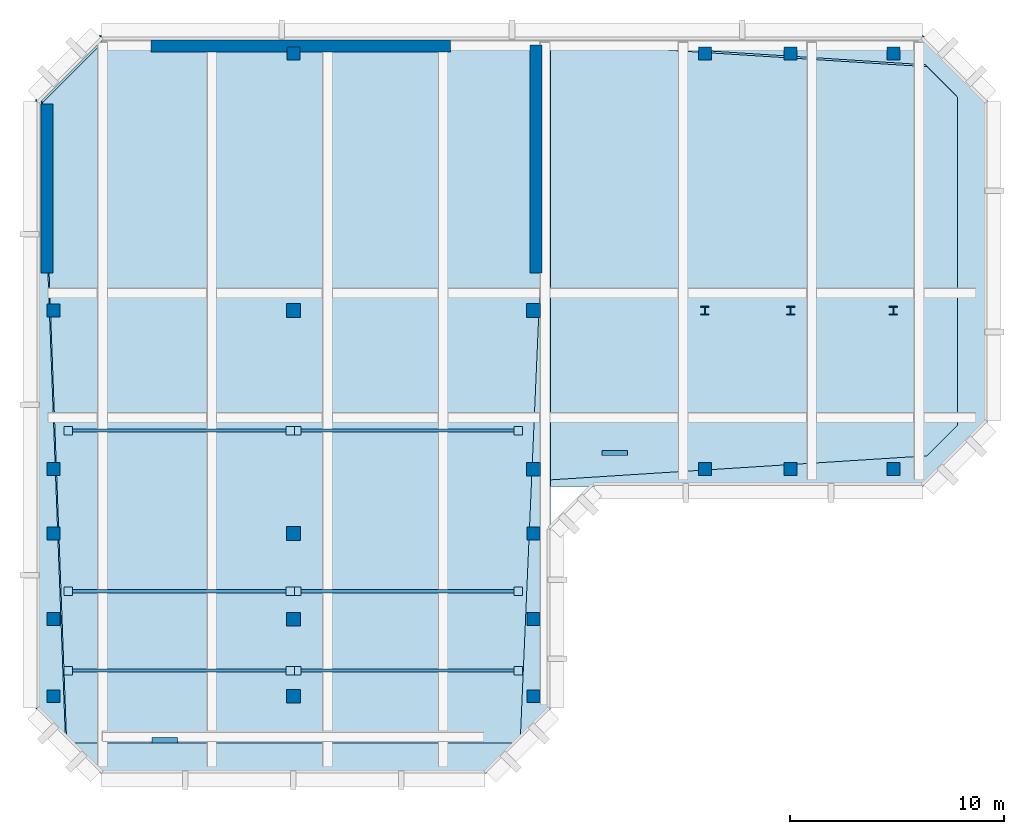
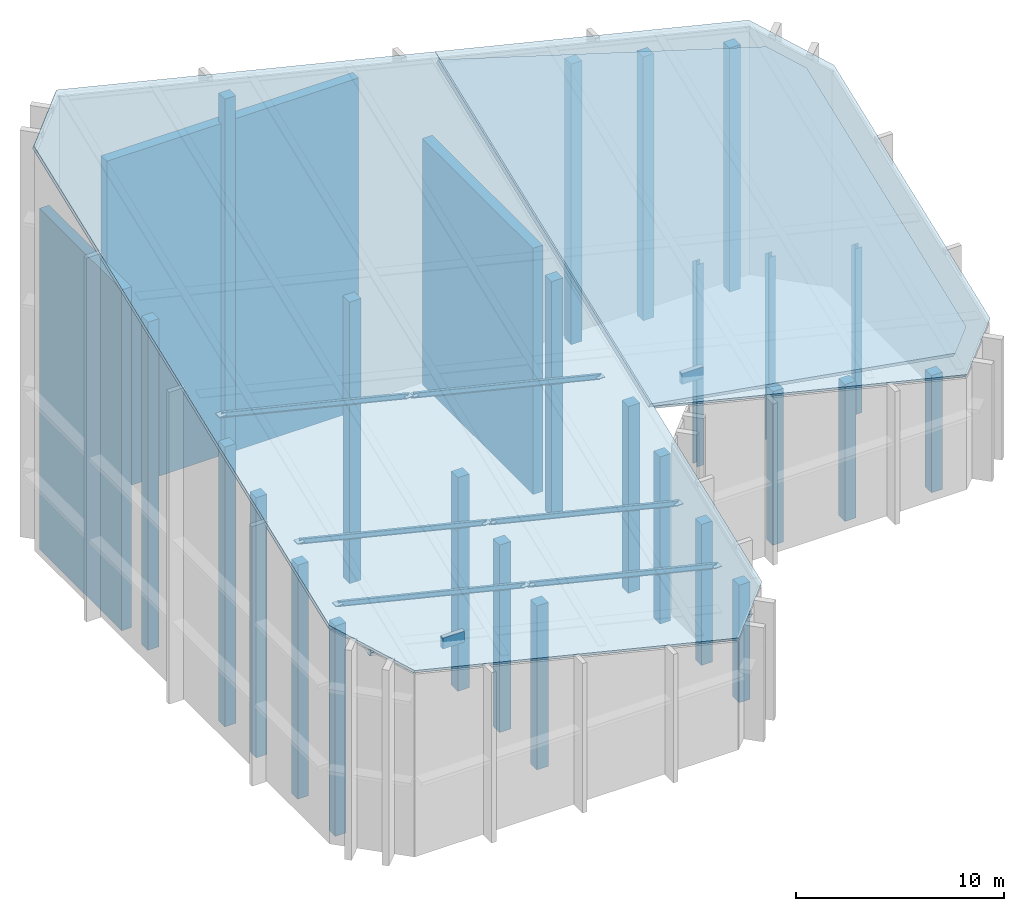
# One storey, part 1 of 3: 24 columns, 12 plates, 6 members, 5 walls, 2 roofs, 2 slabs.
"""IFC4 building model written with IfcOpenShell, lengths in metres."""

from ifc_helpers import new_model, si_unit, direction, frame, frame_2d, origin, origin_2d, place, context, subcontext, project, spatial, polyline, rectangle, i_section, outline, extrude, material, layer, layer_set, material_profile, profile_set, type_object, element, save


model = new_model("IFC4")

# Units and contexts
model_context = context("Model", 3, precision=1e-05, world=origin(), true_north=direction((0.0, 1.0)))
body_context = subcontext(model_context, "Body", "Model", "MODEL_VIEW")
ifc_project = project(units=[si_unit("LENGTHUNIT", "METRE"), si_unit("AREAUNIT", "SQUARE_METRE"), si_unit("VOLUMEUNIT", "CUBIC_METRE"), si_unit("PLANEANGLEUNIT", "RADIAN"), si_unit("MASSUNIT", "GRAM", prefix="KILO")], contexts=[model_context])

# Site, building, storey
site_placement = place(None, origin())
site = spatial("IfcSite", under=ifc_project, at=site_placement, CompositionType="ELEMENT")
building_placement = place(site_placement, origin())
building = spatial("IfcBuilding", under=site, at=building_placement, Name="Kefirva Bronze Tower", CompositionType="ELEMENT")
storey_placement = place(building_placement, frame((0.0, 0.0, 373.889892578125)))
storey = spatial("IfcBuildingStorey", under=building, at=storey_placement, Name="L91", CompositionType="ELEMENT", Elevation=373.889892578125)

# Columns
ifc_material_1 = material(Name="Concrete C50/60", Category="concrete")
ifc_material_profile_1 = material_profile(ifc_material_1, rectangle(XDim=0.60009765625, YDim=0.60009765625, at=origin_2d()), Name="RC 600x600")
ifc_profile_set_1 = profile_set([ifc_material_profile_1], Name="Concrete C50/60")
column_type_1 = type_object("IfcColumnType", Name="RC Column 600x600 Ext", PredefinedType="COLUMN", material=ifc_profile_set_1)
column_1_placement = place(storey_placement, frame((0.800048828125, 15.199951171875, 0.0), z_axis=(0.0, 0.0, 1.0), x_axis=(1.0, 0.0, 0.0)))
element("IfcColumn", 1, at=column_1_placement, inside=storey, type_object=column_type_1, Name="L91 Attic Column C008_152", PredefinedType="COLUMN", context=body_context, shape_type="SweptSolid", body=[
    extrude(rectangle(XDim=0.60009765625, YDim=0.60009765625, at=origin_2d()), origin(), (0.0, 0.0, 1.0), 12.342529296875),
])
column_2_placement = place(storey_placement, frame((0.800048828125, 18.800048828125, 0.0), z_axis=(0.0, 0.0, 1.0), x_axis=(1.0, 0.0, 0.0)))
element("IfcColumn", 2, at=column_2_placement, inside=storey, type_object=column_type_1, Name="L91 Attic Column C008_188", PredefinedType="COLUMN", context=body_context, shape_type="SweptSolid", body=[
    extrude(rectangle(XDim=0.60009765625, YDim=0.60009765625, at=origin_2d()), origin(), (0.0, 0.0, 1.0), 13.724609375),
])
column_3_placement = place(storey_placement, frame((0.800048828125, 22.800048828125, 0.0), z_axis=(0.0, 0.0, 1.0), x_axis=(1.0, 0.0, 0.0)))
element("IfcColumn", 3, at=column_3_placement, inside=storey, type_object=column_type_1, Name="L91 Attic Column C008_228", PredefinedType="COLUMN", context=body_context, shape_type="SweptSolid", body=[
    extrude(rectangle(XDim=0.60009765625, YDim=0.60009765625, at=origin_2d()), origin(), (0.0, 0.0, 1.0), 15.26025390625),
])
column_4_placement = place(storey_placement, frame((0.800048828125, 25.800048828125, 0.0), z_axis=(0.0, 0.0, 1.0), x_axis=(1.0, 0.0, 0.0)))
element("IfcColumn", 4, at=column_4_placement, inside=storey, type_object=column_type_1, Name="L91 Attic Column C008_258", PredefinedType="COLUMN", context=body_context, shape_type="SweptSolid", body=[
    extrude(rectangle(XDim=0.60009765625, YDim=0.60009765625, at=origin_2d()), origin(), (0.0, 0.0, 1.0), 16.412109375),
])
column_5_placement = place(storey_placement, frame((0.800048828125, 33.199951171875, 0.0), z_axis=(0.0, 0.0, 1.0), x_axis=(1.0, 0.0, 0.0)))
element("IfcColumn", 5, at=column_5_placement, inside=storey, type_object=column_type_1, Name="L91 Attic Column C008_332", PredefinedType="COLUMN", context=body_context, shape_type="SweptSolid", body=[
    extrude(rectangle(XDim=0.60009765625, YDim=0.60009765625, at=origin_2d()), origin(), (0.0, 0.0, 1.0), 19.2529296875),
])
column_6_placement = place(storey_placement, frame((12.0, 45.199951171875, 0.0), z_axis=(0.0, 0.0, 1.0), x_axis=(1.0, 0.0, 0.0)))
element("IfcColumn", 6, at=column_6_placement, inside=storey, type_object=column_type_1, Name="L91 Attic Column C120_452", PredefinedType="COLUMN", context=body_context, shape_type="SweptSolid", body=[
    extrude(rectangle(XDim=0.60009765625, YDim=0.60009765625, at=origin_2d()), origin(), (0.0, 0.0, 1.0), 21.134033203125),
])
column_7_placement = place(storey_placement, frame((23.199951171875, 15.199951171875, 0.0), z_axis=(0.0, 0.0, 1.0), x_axis=(1.0, 0.0, 0.0)))
element("IfcColumn", 7, at=column_7_placement, inside=storey, type_object=column_type_1, Name="L91 Attic Column C232_152", PredefinedType="COLUMN", context=body_context, shape_type="SweptSolid", body=[
    extrude(rectangle(XDim=0.60009765625, YDim=0.60009765625, at=origin_2d()), origin(), (0.0, 0.0, 1.0), 6.891357421875),
])
column_8_placement = place(storey_placement, frame((23.199951171875, 18.800048828125, 0.0), z_axis=(0.0, 0.0, 1.0), x_axis=(1.0, 0.0, 0.0)))
element("IfcColumn", 8, at=column_8_placement, inside=storey, type_object=column_type_1, Name="L91 Attic Column C232_188", PredefinedType="COLUMN", context=body_context, shape_type="SweptSolid", body=[
    extrude(rectangle(XDim=0.60009765625, YDim=0.60009765625, at=origin_2d()), origin(), (0.0, 0.0, 1.0), 8.2734375),
])
column_9_placement = place(storey_placement, frame((23.199951171875, 22.800048828125, 0.0), z_axis=(0.0, 0.0, 1.0), x_axis=(1.0, 0.0, 0.0)))
element("IfcColumn", 9, at=column_9_placement, inside=storey, type_object=column_type_1, Name="L91 Attic Column C232_228", PredefinedType="COLUMN", context=body_context, shape_type="SweptSolid", body=[
    extrude(rectangle(XDim=0.60009765625, YDim=0.60009765625, at=origin_2d()), origin(), (0.0, 0.0, 1.0), 9.80908203125),
])
column_10_placement = place(storey_placement, frame((31.199951171875, 25.800048828125, 0.0), z_axis=(0.0, 0.0, 1.0), x_axis=(1.0, 0.0, 0.0)))
element("IfcColumn", 10, at=column_10_placement, inside=storey, type_object=column_type_1, Name="L91 Attic Column C312_258", PredefinedType="COLUMN", context=body_context, shape_type="SweptSolid", body=[
    extrude(rectangle(XDim=0.60009765625, YDim=0.60009765625, at=origin_2d()), origin(), (0.0, 0.0, 1.0), 9.013916015625),
])
column_11_placement = place(storey_placement, frame((31.199951171875, 45.199951171875, 0.0), z_axis=(0.0, 0.0, 1.0), x_axis=(1.0, 0.0, 0.0)))
element("IfcColumn", 11, at=column_11_placement, inside=storey, type_object=column_type_1, Name="L91 Attic Column C312_452", PredefinedType="COLUMN", context=body_context, shape_type="SweptSolid", body=[
    extrude(rectangle(XDim=0.60009765625, YDim=0.60009765625, at=origin_2d()), origin(), (0.0, 0.0, 1.0), 16.461669921875),
])
column_12_placement = place(storey_placement, frame((35.199951171875, 25.800048828125, 0.0), z_axis=(0.0, 0.0, 1.0), x_axis=(1.0, 0.0, 0.0)))
element("IfcColumn", 12, at=column_12_placement, inside=storey, type_object=column_type_1, Name="L91 Attic Column C352_258", PredefinedType="COLUMN", context=body_context, shape_type="SweptSolid", body=[
    extrude(rectangle(XDim=0.60009765625, YDim=0.60009765625, at=origin_2d()), origin(), (0.0, 0.0, 1.0), 8.04052734375),
])
column_13_placement = place(storey_placement, frame((35.199951171875, 45.199951171875, 0.0), z_axis=(0.0, 0.0, 1.0), x_axis=(1.0, 0.0, 0.0)))
element("IfcColumn", 13, at=column_13_placement, inside=storey, type_object=column_type_1, Name="L91 Attic Column C352_452", PredefinedType="COLUMN", context=body_context, shape_type="SweptSolid", body=[
    extrude(rectangle(XDim=0.60009765625, YDim=0.60009765625, at=origin_2d()), origin(), (0.0, 0.0, 1.0), 15.488037109375),
])
column_14_placement = place(storey_placement, frame((40.0, 25.800048828125, 0.0), z_axis=(0.0, 0.0, 1.0), x_axis=(1.0, 0.0, 0.0)))
element("IfcColumn", 14, at=column_14_placement, inside=storey, type_object=column_type_1, Name="L91 Attic Column C400_258", PredefinedType="COLUMN", context=body_context, shape_type="SweptSolid", body=[
    extrude(rectangle(XDim=0.60009765625, YDim=0.60009765625, at=origin_2d()), origin(), (0.0, 0.0, 1.0), 6.872314453125),
])
column_15_placement = place(storey_placement, frame((40.0, 45.199951171875, 0.0), z_axis=(0.0, 0.0, 1.0), x_axis=(1.0, 0.0, 0.0)))
element("IfcColumn", 15, at=column_15_placement, inside=storey, type_object=column_type_1, Name="L91 Attic Column C400_452", PredefinedType="COLUMN", context=body_context, shape_type="SweptSolid", body=[
    extrude(rectangle(XDim=0.60009765625, YDim=0.60009765625, at=origin_2d()), origin(), (0.0, 0.0, 1.0), 14.320068359375),
])
ifc_material_profile_2 = material_profile(ifc_material_1, rectangle(XDim=0.639892578125, YDim=0.639892578125, at=origin_2d()), Name="RC 640x640")
ifc_profile_set_2 = profile_set([ifc_material_profile_2], Name="Concrete C50/60")
column_type_2 = type_object("IfcColumnType", Name="RC Column 640x640 Int", PredefinedType="COLUMN", material=ifc_profile_set_2)
column_16_placement = place(storey_placement, frame((12.0, 15.199951171875, 0.0), z_axis=(0.0, 0.0, 1.0), x_axis=(1.0, 0.0, 0.0)))
element("IfcColumn", 16, at=column_16_placement, inside=storey, type_object=column_type_2, Name="L91 Attic Column C120_152", PredefinedType="COLUMN", context=body_context, shape_type="SweptSolid", body=[
    extrude(rectangle(XDim=0.639892578125, YDim=0.639892578125, at=origin_2d()), origin(), (0.0, 0.0, 1.0), 9.616943359375),
])
column_17_placement = place(storey_placement, frame((12.0, 18.800048828125, 0.0), z_axis=(0.0, 0.0, 1.0), x_axis=(1.0, 0.0, 0.0)))
element("IfcColumn", 17, at=column_17_placement, inside=storey, type_object=column_type_2, Name="L91 Attic Column C120_188", PredefinedType="COLUMN", context=body_context, shape_type="SweptSolid", body=[
    extrude(rectangle(XDim=0.639892578125, YDim=0.639892578125, at=origin_2d()), origin(), (0.0, 0.0, 1.0), 10.9990234375),
])
column_18_placement = place(storey_placement, frame((12.0, 22.800048828125, 0.0), z_axis=(0.0, 0.0, 1.0), x_axis=(1.0, 0.0, 0.0)))
element("IfcColumn", 18, at=column_18_placement, inside=storey, type_object=column_type_2, Name="L91 Attic Column C120_228", PredefinedType="COLUMN", context=body_context, shape_type="SweptSolid", body=[
    extrude(rectangle(XDim=0.639892578125, YDim=0.639892578125, at=origin_2d()), origin(), (0.0, 0.0, 1.0), 12.53466796875),
])
column_19_placement = place(storey_placement, frame((12.0, 33.199951171875, 0.0), z_axis=(0.0, 0.0, 1.0), x_axis=(1.0, 0.0, 0.0)))
element("IfcColumn", 19, at=column_19_placement, inside=storey, type_object=column_type_2, Name="L91 Attic Column C120_332", PredefinedType="COLUMN", context=body_context, shape_type="SweptSolid", body=[
    extrude(rectangle(XDim=0.639892578125, YDim=0.639892578125, at=origin_2d()), origin(), (0.0, 0.0, 1.0), 16.527099609375),
])
column_20_placement = place(storey_placement, frame((23.199951171875, 25.800048828125, 0.0), z_axis=(0.0, 0.0, 1.0), x_axis=(1.0, 0.0, 0.0)))
element("IfcColumn", 20, at=column_20_placement, inside=storey, type_object=column_type_2, Name="L91 Attic Column C232_258", PredefinedType="COLUMN", context=body_context, shape_type="SweptSolid", body=[
    extrude(rectangle(XDim=0.639892578125, YDim=0.639892578125, at=origin_2d()), origin(), (0.0, 0.0, 1.0), 10.960693359375),
])
column_21_placement = place(storey_placement, frame((23.199951171875, 33.199951171875, 0.0), z_axis=(0.0, 0.0, 1.0), x_axis=(1.0, 0.0, 0.0)))
element("IfcColumn", 21, at=column_21_placement, inside=storey, type_object=column_type_2, Name="L91 Attic Column C232_332", PredefinedType="COLUMN", context=body_context, shape_type="SweptSolid", body=[
    extrude(rectangle(XDim=0.639892578125, YDim=0.639892578125, at=origin_2d()), origin(), (0.0, 0.0, 1.0), 13.801513671875),
])
ifc_material_2 = material(Name="Steel S460", Category="steel")
ifc_material_profile_3 = material_profile(ifc_material_2, i_section(OverallWidth=0.376953125, OverallDepth=0.386962890625, WebThickness=0.01611328125, FlangeThickness=0.027099609375, at=origin_2d()), Name="HD 360x262")
ifc_profile_set_3 = profile_set([ifc_material_profile_3], Name="Steel S460")
column_type_3 = type_object("IfcColumnType", Name="Steel Column HD 360x262", PredefinedType="COLUMN", material=ifc_profile_set_3)
column_22_placement = place(storey_placement, frame((31.199951171875, 33.199951171875, 0.0), z_axis=(0.0, 0.0, 1.0), x_axis=(1.0, 0.0, 0.0)))
element("IfcColumn", 22, at=column_22_placement, inside=storey, type_object=column_type_3, Name="L91 Attic Column C312_332", PredefinedType="COLUMN", context=body_context, shape_type="SweptSolid", body=[
    extrude(i_section(OverallWidth=0.376953125, OverallDepth=0.386962890625, WebThickness=0.01611328125, FlangeThickness=0.027099609375, at=origin_2d()), origin(), (0.0, 0.0, 1.0), 11.854736328125),
])
column_23_placement = place(storey_placement, frame((35.199951171875, 33.199951171875, 0.0), z_axis=(0.0, 0.0, 1.0), x_axis=(1.0, 0.0, 0.0)))
element("IfcColumn", 23, at=column_23_placement, inside=storey, type_object=column_type_3, Name="L91 Attic Column C352_332", PredefinedType="COLUMN", context=body_context, shape_type="SweptSolid", body=[
    extrude(i_section(OverallWidth=0.376953125, OverallDepth=0.386962890625, WebThickness=0.01611328125, FlangeThickness=0.027099609375, at=origin_2d()), origin(), (0.0, 0.0, 1.0), 10.88134765625),
])
column_24_placement = place(storey_placement, frame((40.0, 33.199951171875, 0.0), z_axis=(0.0, 0.0, 1.0), x_axis=(1.0, 0.0, 0.0)))
element("IfcColumn", 24, at=column_24_placement, inside=storey, type_object=column_type_3, Name="L91 Attic Column C400_332", PredefinedType="COLUMN", context=body_context, shape_type="SweptSolid", body=[
    extrude(i_section(OverallWidth=0.376953125, OverallDepth=0.386962890625, WebThickness=0.01611328125, FlangeThickness=0.027099609375, at=origin_2d()), origin(), (0.0, 0.0, 1.0), 9.713134765625),
])

# Members
ifc_material_3 = material(Name="Steel S355", Category="steel")
ifc_material_profile_4 = material_profile(ifc_material_3, i_section(OverallWidth=0.14990234375, OverallDepth=0.300048828125, WebThickness=0.007080078125, FlangeThickness=0.0107421875, at=origin_2d()), Name="IPE 300")
ifc_profile_set_4 = profile_set([ifc_material_profile_4], Name="Steel S355")
member_type = type_object("IfcMemberType", Name="Steel Crown Purlin IPE 300", PredefinedType="PURLIN", material=ifc_profile_set_4)
for number, where, z_axis, x_axis, name in (
    (25, (1.5, 16.39990234375, 12.40283203125), (0.971646829654, 0.0, -0.236436965012), (0.0, 1.0, 0.0), "L91 Sloped Crown Roof Purlin W1"),
    (26, (12.14990234375, 16.39990234375, 9.811279296875), (0.971641564084, 0.0, -0.236458603025), (0.0, 1.0, 0.0), "L91 Sloped Crown Roof Purlin E1"),
    (27, (1.5, 20.10009765625, 13.823486328125), (0.971641564084, 0.0, -0.236458603025), (0.0, 1.0, 0.0), "L91 Sloped Crown Roof Purlin W2"),
    (28, (12.14990234375, 20.10009765625, 11.231689453125), (0.971641564084, 0.0, -0.236458603025), (0.0, 1.0, 0.0), "L91 Sloped Crown Roof Purlin E2"),
    (29, (1.5, 27.60009765625, 16.70263671875), (0.971641564084, 0.0, -0.236458603025), (0.0, 1.0, 0.0), "L91 Sloped Crown Roof Purlin W3"),
    (30, (12.14990234375, 27.60009765625, 14.11083984375), (0.971641564084, 0.0, -0.236458603025), (0.0, 1.0, 0.0), "L91 Sloped Crown Roof Purlin E3"),
):
    element("IfcMember", number, at=place(storey_placement, frame(where, z_axis=z_axis, x_axis=x_axis)), inside=storey, type_object=member_type, Name=name, PredefinedType="PURLIN", context=body_context, shape_type="SweptSolid", body=[
        extrude(i_section(OverallWidth=0.14990234375, OverallDepth=0.300048828125, WebThickness=0.007080078125, FlangeThickness=0.0107421875, at=origin_2d()), origin(), (0.0, 0.0, 1.0), 10.652099609375),
    ])

# Slabs
ifc_material_4 = material(Name="Concrete C40/50", Category="concrete")
ifc_layer_1 = layer(ifc_material_4, 0.260009765625, Name="Concrete C40/50")
ifc_layer_set_1 = layer_set([ifc_layer_1], Name="Concrete C40/50")
slab_type = type_object("IfcSlabType", Name="RC Slanted Crown Roof Slab 260mm", PredefinedType="ROOF", material=ifc_layer_set_1)
slab_1_placement = place(storey_placement, frame((1.419921875, 13.02001953125, 11.61474609375), z_axis=(0.221544120349, -0.349496389432, 0.91036831915), x_axis=(0.971642370798, 7.18616e-07, -0.236455288097)))
element("IfcSlab", 31, at=slab_1_placement, inside=storey, type_object=slab_type, Name="L91 Slanted-Cut Crown West Roof Slab", PredefinedType="ROOF", context=body_context, shape_type="SweptSolid", body=[
    extrude(outline(polyline([(0.0, 0.0), (21.777710570890637, 0.0), (20.2725318863865, 34.87949641468019), (-1.2373533214943553, 34.87953087366748), (-3.864943328349706, 31.891019048754476), (0.0, 0.0)])), origin(), (0.0, 0.0, -1.0), 0.260009765625),
])
slab_2_placement = place(storey_placement, frame((24.0, 25.300048828125, 10.834228515625), z_axis=(0.221549626668, -0.349491507006, 0.910368853517), x_axis=(0.974983381331, 0.062179083319, -0.213403766899)))
element("IfcSlab", 32, at=slab_2_placement, inside=storey, type_object=slab_type, Name="L91 Slanted-Cut Crown East Roof Slab", PredefinedType="ROOF", context=body_context, shape_type="SweptSolid", body=[
    extrude(outline(polyline([(0.0, 0.0), (18.010616612075864, 0.0), (19.440755331785557, 1.4239165361566817), (19.13817411350519, 17.831188725407554), (17.652015773710772, 19.44908733405824), (-0.40283354262456816, 21.847810097189395), (0.0, 0.0)])), origin(), (0.0, 0.0, -1.0), 0.260009765625),
])

# Plates
ifc_layer_2 = layer(ifc_material_2, 0.0400390625, Name="Steel S460")
ifc_layer_set_2 = layer_set([ifc_layer_2], Name="Steel S460")
plate_type = type_object("IfcPlateType", Name="Steel Node Gusset Plate 40mm", PredefinedType="USERDEFINED", material=ifc_layer_set_2)
for number, where, z_axis, x_axis, name in (
    (33, (1.5, 16.39990234375, 12.3828125), (0.0, 0.0, 1.0), (1.0, 0.0, 0.0), "L91 Crown Purlin End Plate W1-1"),
    (34, (11.85009765625, 16.39990234375, 9.8642578125), (0.0, 0.0, 1.0), (1.0, 0.0, 0.0), "L91 Crown Purlin End Plate W1-2"),
    (35, (12.14990234375, 16.39990234375, 9.791259765625), (0.0, 0.0, 1.0), (1.0, 0.0, 0.0), "L91 Crown Purlin End Plate E1-1"),
    (36, (22.5, 16.39990234375, 7.2724609375), (0.0, 0.0, 1.0), (1.0, 0.0, 0.0), "L91 Crown Purlin End Plate E1-2"),
    (37, (1.5, 20.10009765625, 13.803466796875), (0.0, 0.0, 1.0), (1.0, 0.0, 0.0), "L91 Crown Purlin End Plate W2-1"),
    (38, (11.85009765625, 20.10009765625, 11.28466796875), (0.0, 0.0, 1.0), (1.0, 0.0, 0.0), "L91 Crown Purlin End Plate W2-2"),
    (39, (12.14990234375, 20.10009765625, 11.211669921875), (0.0, 0.0, 1.0), (1.0, 0.0, 0.0), "L91 Crown Purlin End Plate E2-1"),
    (40, (22.5, 20.10009765625, 8.69287109375), (0.0, 0.0, 1.0), (1.0, 0.0, 0.0), "L91 Crown Purlin End Plate E2-2"),
    (41, (1.5, 27.60009765625, 16.6826171875), (0.0, 0.0, 1.0), (1.0, 0.0, 0.0), "L91 Crown Purlin End Plate W3-1"),
    (42, (11.85009765625, 27.60009765625, 14.163818359375), (0.0, 0.0, 1.0), (1.0, 0.0, 0.0), "L91 Crown Purlin End Plate W3-2"),
    (43, (12.14990234375, 27.60009765625, 14.0908203125), (0.0, 0.0, 1.0), (1.0, 0.0, 0.0), "L91 Crown Purlin End Plate E3-1"),
    (44, (22.5, 27.60009765625, 11.572021484375), (0.0, 0.0, 1.0), (1.0, 0.0, 0.0), "L91 Crown Purlin End Plate E3-2"),
):
    element("IfcPlate", number, at=place(storey_placement, frame(where, z_axis=z_axis, x_axis=x_axis)), inside=storey, type_object=plate_type, Name=name, ObjectType="GUSSET PLATE", PredefinedType="USERDEFINED", context=body_context, shape_type="SweptSolid", body=[
        extrude(rectangle(XDim=0.39990234375, YDim=0.39990234375, at=origin_2d()), origin(), (0.0, 0.0, 1.0), 0.0400390625),
    ])

# Walls
ifc_material_5 = material(Name="Precast concrete C40/50", Category="concrete")
ifc_layer_3 = layer(ifc_material_5, 0.239990234375, Name="Precast concrete C40/50")
ifc_layer_set_3 = layer_set([ifc_layer_3], Name="Precast concrete C40/50")
wall_type_1 = type_object("IfcWallType", Name="Precast Roof Parapet Wall 240mm", PredefinedType="PARAPET", material=ifc_layer_set_3)
wall_1_placement = place(storey_placement, frame((5.39990234375, 13.14990234375, 10.404052734375), z_axis=(0.0, 0.0, 1.0), x_axis=(1.0, 0.0, 0.0)))
element("IfcWall", 45, at=wall_1_placement, inside=storey, type_object=wall_type_1, Name="L91 Crown Low-Eave Curb Parapet 1", PredefinedType="PARAPET", context=body_context, shape_type="SweptSolid", body=[
    extrude(rectangle(XDim=1.2001953125, YDim=0.239990234375, at=frame_2d((0.60009765625, 0.0))), origin(), (0.0, 0.0, 1.0), 0.650146484375),
])
wall_2_placement = place(storey_placement, frame((26.39990234375, 26.550048828125, 10.43798828125), z_axis=(0.0, 0.0, 1.0), x_axis=(1.0, 0.0, 0.0)))
element("IfcWall", 46, at=wall_2_placement, inside=storey, type_object=wall_type_1, Name="L91 Crown Low-Eave Curb Parapet 2", PredefinedType="PARAPET", context=body_context, shape_type="SweptSolid", body=[
    extrude(rectangle(XDim=1.2001953125, YDim=0.239990234375, at=frame_2d((0.60009765625, 0.0))), origin(), (0.0, 0.0, 1.0), 0.64990234375),
])
ifc_layer_4 = layer(ifc_material_1, 0.550048828125, Name="Concrete C50/60")
ifc_layer_set_4 = layer_set([ifc_layer_4], Name="Concrete C50/60")
wall_type_2 = type_object("IfcWallType", Name="RC Rear Core Exterior Wall 550mm", PredefinedType="SHEAR", material=ifc_layer_set_4)
wall_3_placement = place(storey_placement, frame((5.360107421875, 45.550048828125, 0.0), z_axis=(0.0, 0.0, 1.0), x_axis=(1.0, 0.0, 0.0)))
element("IfcWall", 47, at=wall_3_placement, inside=storey, type_object=wall_type_2, Name="L91 Attic CW-N-L91", PredefinedType="SHEAR", context=body_context, shape_type="SweptSolid", body=[
    extrude(rectangle(XDim=13.97998046875, YDim=0.550048828125, at=frame_2d((6.989990234375, 0.0))), origin(), (0.0, 0.0, 1.0), 19.482177734375),
])
wall_4_placement = place(storey_placement, frame((0.5, 34.949951171875, 0.0), z_axis=(0.0, 0.0, 1.0), x_axis=(0.0, 1.0, 0.0)))
element("IfcWall", 48, at=wall_4_placement, inside=storey, type_object=wall_type_2, Name="L91 Attic CW-W-L91", PredefinedType="SHEAR", context=body_context, shape_type="SweptSolid", body=[
    extrude(rectangle(XDim=7.900146484375, YDim=0.550048828125, at=frame_2d((3.9501953125, 0.0))), origin(), (0.0, 0.0, 1.0), 19.997802734375),
])
ifc_layer_5 = layer(ifc_material_1, 0.550048828125, Name="Concrete C50/60")
ifc_layer_set_5 = layer_set([ifc_layer_5], Name="Concrete C50/60")
wall_type_3 = type_object("IfcWallType", Name="RC Rear Core Interior Wall 550mm", PredefinedType="SHEAR", material=ifc_layer_set_5)
wall_5_placement = place(storey_placement, frame((23.324951171875, 34.949951171875, 0.0), z_axis=(0.0, 0.0, 1.0), x_axis=(0.0, 1.0, 0.0)))
element("IfcWall", 49, at=wall_5_placement, inside=storey, type_object=wall_type_3, Name="L91 Attic CW-E-L91", PredefinedType="SHEAR", context=body_context, shape_type="SweptSolid", body=[
    extrude(rectangle(XDim=10.64013671875, YDim=0.550048828125, at=frame_2d((5.320068359375, 0.0))), origin(), (0.0, 0.0, 1.0), 14.443115234375),
])

# Roofs
ifc_material_6 = material(Name="Bronze anodised aluminium", Category="aluminium")
ifc_layer_6 = layer(ifc_material_6, 0.179931640625, Name="Bronze anodised aluminium")
ifc_layer_set_6 = layer_set([ifc_layer_6], Name="Bronze anodised aluminium")
roof_type = type_object("IfcRoofType", Name="Slanted-Cut Glazed Bronze Crown Roof 180mm", PredefinedType="SHED_ROOF", material=ifc_layer_set_6)
roof_1_placement = place(storey_placement, frame((0.0, 14.60009765625, 12.73681640625), z_axis=(0.221546086432, -0.349496604874, 0.910367757979), x_axis=(-1.016385e-06, 0.933566906282, 0.358403168923)))
element("IfcRoof", 50, at=roof_1_placement, inside=storey, type_object=roof_type, Name="L91 Slanted-Cut Glazed Bronze Crown West Roof", PredefinedType="SHED_ROOF", context=body_context, shape_type="SweptSolid", body=[
    extrude(outline(polyline([(0.0, 0.0), (30.420906020774066, -4.440892098500626e-16), (33.37271752657998, -3.0764559830452582), (31.541042487405345, -24.611616883042654), (6.904363161855667, -24.61158535564776), (-2.093305401582302, -24.611590816402654), (-5.045116907388221, -21.535134833357393), (-3.4750722306212474, -3.0764038497652533), (0.0, 0.0)])), origin(), (0.0, 0.0, -1.0), 0.179931640625),
])
roof_2_placement = place(storey_placement, frame((41.39990234375, 46.0, 14.71630859375), z_axis=(0.221546211293, -0.3494921182, 0.910369450046), x_axis=(0.646381626813, -0.6463769045, -0.405447517994)))
element("IfcRoof", 51, at=roof_2_placement, inside=storey, type_object=roof_type, Name="L91 Slanted-Cut Glazed Bronze Crown East Roof", PredefinedType="SHED_ROOF", context=body_context, shape_type="SweptSolid", body=[
    extrude(outline(polyline([(0.0, 0.0), (4.641162317860031, -3.3306690738754696e-16), (16.671603631186287, -10.650320249804635), (16.842538649688397, -14.91043219681054), (5.368886389594886, -25.84462130295403), (3.878744632335281, -27.264645157859373), (-12.963893003563564, -12.354192769903898), (0.0, 0.0)])), origin(), (0.0, 0.0, -1.0), 0.179931640625),
])

save(model, "model.ifc")
